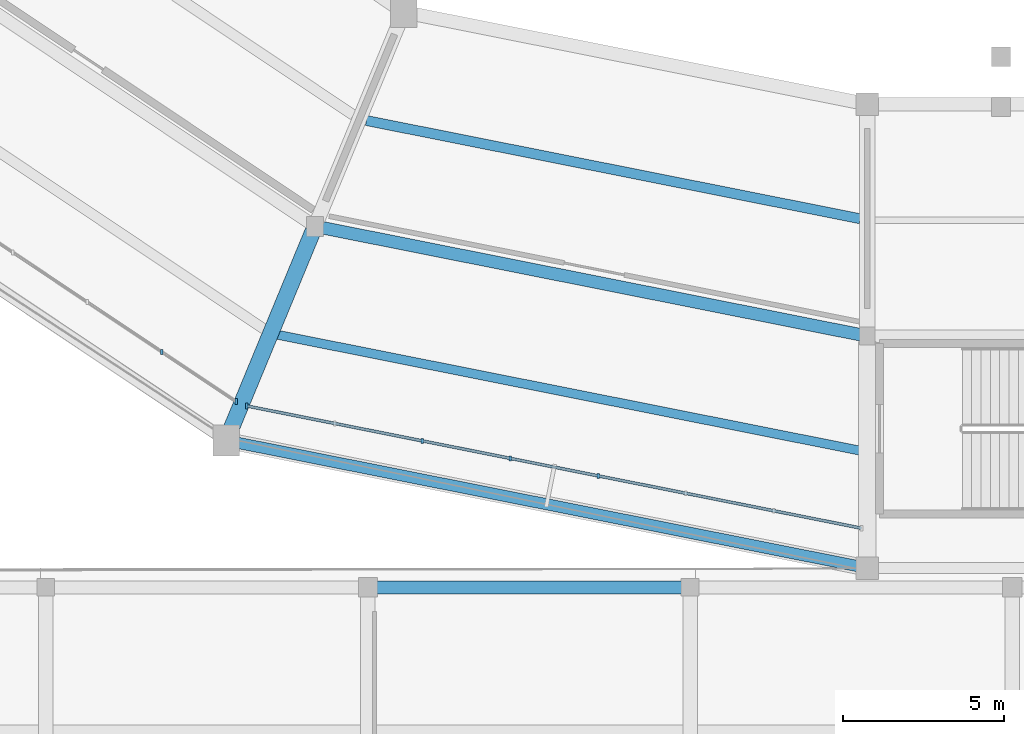
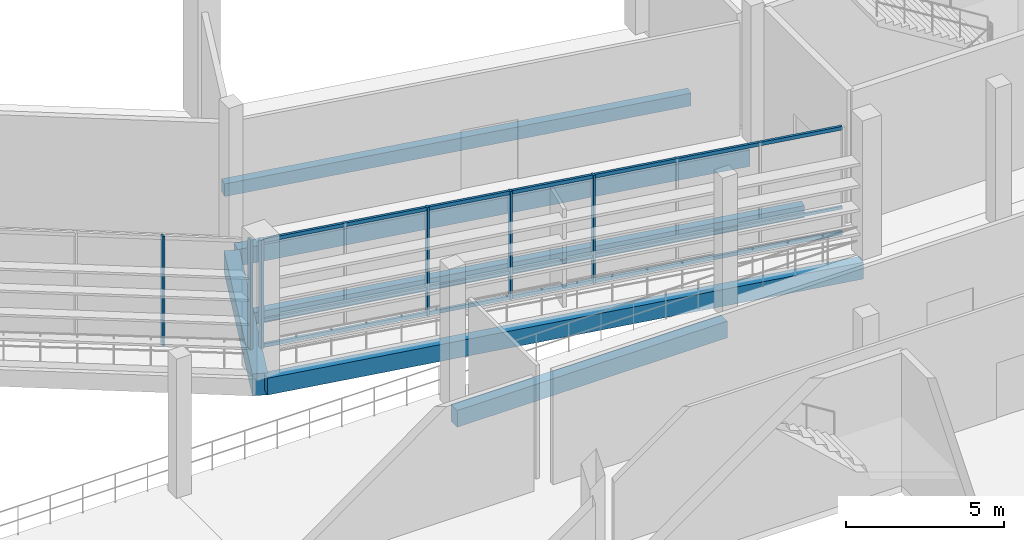
# One storey, part 11 of 111: 9 members, 6 beams, 2 elements without a shape of their own.
"""IFC4 building model written with IfcOpenShell, lengths in metres."""

from ifc_helpers import new_model, si_unit, direction, frame, origin, origin_2d, place, context, subcontext, project, spatial, rectangle, extrude, material, material_profile, profile_set, type_object, element, aggregate, save


model = new_model("IFC4")

# Units and contexts
model_context = context("Model", 3, precision=1e-05, world=origin(), true_north=direction((0.0, 1.0)))
body_context = subcontext(model_context, "Body", "Model", "MODEL_VIEW")
ifc_project = project(units=[si_unit("LENGTHUNIT", "METRE"), si_unit("AREAUNIT", "SQUARE_METRE"), si_unit("VOLUMEUNIT", "CUBIC_METRE"), si_unit("PLANEANGLEUNIT", "RADIAN"), si_unit("MASSUNIT", "GRAM", prefix="KILO")], contexts=[model_context])

# Site, building, storey
site_placement = place(None, origin())
site = spatial("IfcSite", under=ifc_project, at=site_placement, CompositionType="ELEMENT")
building_placement = place(site_placement, origin())
building = spatial("IfcBuilding", under=site, at=building_placement, Name="Candeia Ridge Stadium", CompositionType="ELEMENT")
storey_placement = place(building_placement, frame((0.0, 0.0, 16.199951171875)))
storey = spatial("IfcBuildingStorey", under=building, at=storey_placement, Name="L03", CompositionType="ELEMENT", Elevation=16.199951171875)

# Curtain wall, member
ifc_material_1 = material(Name="Aluminium Anodized Warm Bronze", Category="aluminium")
curtain_wall_type = type_object("IfcCurtainWallType", Name="Concourse Recessed Unitised Curtain Wall", PredefinedType="NOTDEFINED", material=ifc_material_1)
curtain_wall_1_placement = place(storey_placement, origin())
curtain_wall_1 = element("IfcCurtainWall", 1, at=curtain_wall_1_placement, inside=storey, type_object=curtain_wall_type, Name="Unitised curtain wall CW-BWL-L03-16", PredefinedType="NOTDEFINED")
ifc_material_profile_1 = material_profile(ifc_material_1, rectangle(XDim=0.090087890625, YDim=0.179931640625, at=origin_2d()), Name="CWM-90x180", Category="aluminium")
ifc_profile_set_1 = profile_set([ifc_material_profile_1], Name="Aluminium Anodized Warm Bronze")
member_type_1 = type_object("IfcMemberType", Name="Curtain Wall Primary Mullion 90x180", PredefinedType="MULLION", material=ifc_profile_set_1)
member_1_placement = place(storey_placement, frame((51.409912109375, 24.1669921875, 0.0), z_axis=(0.0, 0.0, 1.0), x_axis=(1.0, 0.0, 0.0)))
member_1 = element("IfcMember", 2, at=member_1_placement, type_object=member_type_1, Name="Curtain wall mullion CW-BWL-L03-16-M7", PredefinedType="MULLION", context=body_context, shape_type="SweptSolid", body=[
    extrude(rectangle(XDim=0.090087890625, YDim=0.179931640625, at=origin_2d()), origin(), (0.0, 0.0, 1.0), 4.2451171875),
])

curtain_wall_2_placement = place(storey_placement, origin())
curtain_wall_2 = element("IfcCurtainWall", 3, at=curtain_wall_2_placement, inside=storey, type_object=curtain_wall_type, Name="Unitised curtain wall CW-BWL-L03-17", PredefinedType="NOTDEFINED")
member_2_placement = place(storey_placement, frame((51.736083984375, 24.03173828125, 0.0), z_axis=(0.0, 0.0, 1.0), x_axis=(1.0, 0.0, 0.0)))
member_2 = element("IfcMember", 4, at=member_2_placement, type_object=member_type_1, Name="Curtain wall mullion CW-BWL-L03-17-M0", PredefinedType="MULLION", context=body_context, shape_type="SweptSolid", body=[
    extrude(rectangle(XDim=0.090087890625, YDim=0.179931640625, at=origin_2d()), origin(), (0.0, 0.0, 1.0), 4.205078125),
])

# Member
ifc_material_profile_2 = material_profile(ifc_material_1, rectangle(XDim=0.074951171875, YDim=0.14990234375, at=origin_2d()), Name="CWM-75x150", Category="aluminium")
ifc_profile_set_2 = profile_set([ifc_material_profile_2], Name="Aluminium Anodized Warm Bronze")
member_type_2 = type_object("IfcMemberType", Name="Curtain Wall Secondary Mullion 75x150", PredefinedType="MULLION", material=ifc_profile_set_2)
member_3_placement = place(storey_placement, frame((49.098388671875, 25.71142578125, 0.0), z_axis=(0.0, 0.0, 1.0), x_axis=(1.0, 0.0, 0.0)))
member_3 = element("IfcMember", 5, at=member_3_placement, type_object=member_type_2, Name="Curtain wall mullion CW-BWL-L03-16-M6", PredefinedType="MULLION", context=body_context, shape_type="SweptSolid", body=[
    extrude(rectangle(XDim=0.074951171875, YDim=0.14990234375, at=origin_2d()), origin(), (0.0, 0.0, 1.0), 4.2451171875),
])

aggregate(curtain_wall_1, [member_3, member_1])

member_4_placement = place(storey_placement, frame((57.189697265625, 22.947021484375, 0.0), z_axis=(0.0, 0.0, 1.0), x_axis=(1.0, 0.0, 0.0)))
member_4 = element("IfcMember", 6, at=member_4_placement, type_object=member_type_2, Name="Curtain wall mullion CW-BWL-L03-17-M2", PredefinedType="MULLION", context=body_context, shape_type="SweptSolid", body=[
    extrude(rectangle(XDim=0.074951171875, YDim=0.14990234375, at=origin_2d()), origin(), (0.0, 0.0, 1.0), 4.205078125),
])

member_5_placement = place(storey_placement, frame((59.91650390625, 22.404541015625, 0.0), z_axis=(0.0, 0.0, 1.0), x_axis=(1.0, 0.0, 0.0)))
member_5 = element("IfcMember", 7, at=member_5_placement, type_object=member_type_2, Name="Curtain wall mullion CW-BWL-L03-17-M3", PredefinedType="MULLION", context=body_context, shape_type="SweptSolid", body=[
    extrude(rectangle(XDim=0.074951171875, YDim=0.14990234375, at=origin_2d()), origin(), (0.0, 0.0, 1.0), 4.205078125),
])

member_6_placement = place(storey_placement, frame((62.643310546875, 21.8623046875, 0.0), z_axis=(0.0, 0.0, 1.0), x_axis=(1.0, 0.0, 0.0)))
member_6 = element("IfcMember", 8, at=member_6_placement, type_object=member_type_2, Name="Curtain wall mullion CW-BWL-L03-17-M4", PredefinedType="MULLION", context=body_context, shape_type="SweptSolid", body=[
    extrude(rectangle(XDim=0.074951171875, YDim=0.14990234375, at=origin_2d()), origin(), (0.0, 0.0, 1.0), 4.205078125),
])

ifc_material_profile_3 = material_profile(ifc_material_1, rectangle(XDim=0.074951171875, YDim=0.110107421875, at=origin_2d()), Name="CWT-75x110", Category="aluminium")
ifc_profile_set_3 = profile_set([ifc_material_profile_3], Name="Aluminium Anodized Warm Bronze")
member_type_3 = type_object("IfcMemberType", Name="Curtain Wall Secondary Transom 75x110", PredefinedType="USERDEFINED", material=ifc_profile_set_3)
member_7_placement = place(storey_placement, frame((51.736083984375, 24.03173828125, 1.05126953125), z_axis=(0.980786160623, -0.195085896803, 0.0), x_axis=(0.195085896803, 0.980786160623, 0.0)))
member_7 = element("IfcMember", 9, at=member_7_placement, type_object=member_type_3, Name="Curtain wall transom CW-BWL-L03-17-T1", ObjectType="TRANSOM", PredefinedType="USERDEFINED", context=body_context, shape_type="SweptSolid", body=[
    extrude(rectangle(XDim=0.074951171875, YDim=0.110107421875, at=origin_2d()), origin(), (0.0, 0.0, 1.0), 19.46142578125),
])

ifc_material_profile_4 = material_profile(ifc_material_1, rectangle(XDim=0.090087890625, YDim=0.139892578125, at=origin_2d()), Name="CWT-90x140", Category="aluminium")
ifc_profile_set_4 = profile_set([ifc_material_profile_4], Name="Aluminium Anodized Warm Bronze")
member_type_4 = type_object("IfcMemberType", Name="Curtain Wall Transom 90x140", PredefinedType="USERDEFINED", material=ifc_profile_set_4)
member_8_placement = place(storey_placement, frame((51.736083984375, 24.03173828125, 0.070068359375), z_axis=(0.980786160623, -0.195085896803, 0.0), x_axis=(0.195085896803, 0.980786160623, 0.0)))
member_8 = element("IfcMember", 10, at=member_8_placement, type_object=member_type_4, Name="Curtain wall transom CW-BWL-L03-17-T0", ObjectType="TRANSOM", PredefinedType="USERDEFINED", context=body_context, shape_type="SweptSolid", body=[
    extrude(rectangle(XDim=0.090087890625, YDim=0.139892578125, at=origin_2d()), origin(), (0.0, 0.0, 1.0), 19.46142578125),
])

member_9_placement = place(storey_placement, frame((51.736083984375, 24.03173828125, 4.135009765625), z_axis=(0.980786160623, -0.195085896803, 0.0), x_axis=(0.195085896803, 0.980786160623, 0.0)))
member_9 = element("IfcMember", 11, at=member_9_placement, type_object=member_type_4, Name="Curtain wall transom CW-BWL-L03-17-T2", ObjectType="TRANSOM", PredefinedType="USERDEFINED", context=body_context, shape_type="SweptSolid", body=[
    extrude(rectangle(XDim=0.090087890625, YDim=0.139892578125, at=origin_2d()), origin(), (0.0, 0.0, 1.0), 19.46142578125),
])

aggregate(curtain_wall_2, [member_2, member_4, member_5, member_6, member_8, member_7, member_9])

# Beams
ifc_material_2 = material(Name="Concrete C40/50", Category="concrete")
ifc_material_profile_5 = material_profile(ifc_material_2, rectangle(XDim=0.280029296875, YDim=0.4599609375, at=origin_2d()), Name="RC280x460", Category="concrete")
ifc_profile_set_5 = profile_set([ifc_material_profile_5], Name="Concrete C40/50")
beam_type_1 = type_object("IfcBeamType", Name="Floor Joist RC280x460", PredefinedType="JOIST", material=ifc_profile_set_5)
beam_1_placement = place(storey_placement, frame((52.69580078125, 26.240966796875, -0.47998046875), z_axis=(0.980784839623, -0.195092537954, 0.0), x_axis=(0.195092537954, 0.980784839623, 0.0)))
element("IfcBeam", 12, at=beam_1_placement, inside=storey, type_object=beam_type_1, Name="Concourse secondary joist BM-L03-0637", PredefinedType="JOIST", context=body_context, shape_type="SweptSolid", body=[
    extrude(rectangle(XDim=0.280029296875, YDim=0.4599609375, at=origin_2d()), origin(), (0.0, 0.0, 1.0), 18.440673828125),
])
ifc_material_profile_6 = material_profile(ifc_material_2, rectangle(XDim=0.31005859375, YDim=0.489990234375, at=origin_2d()), Name="RC310x490", Category="concrete")
ifc_profile_set_6 = profile_set([ifc_material_profile_6], Name="Concrete C40/50")
beam_type_2 = type_object("IfcBeamType", Name="Floor Joist RC310x490", PredefinedType="JOIST", material=ifc_profile_set_6)
beam_2_placement = place(storey_placement, frame((55.451171875, 32.892822265625, -0.494873046875), z_axis=(0.980784984607, -0.195091809076, 0.0), x_axis=(0.195091809076, 0.980784984607, 0.0)))
element("IfcBeam", 13, at=beam_2_placement, inside=storey, type_object=beam_type_2, Name="Concourse secondary joist BM-L03-0636", PredefinedType="JOIST", context=body_context, shape_type="SweptSolid", body=[
    extrude(rectangle(XDim=0.31005859375, YDim=0.489990234375, at=origin_2d()), origin(), (0.0, 0.0, 1.0), 15.63134765625),
])
ifc_material_profile_7 = material_profile(ifc_material_2, rectangle(XDim=0.389892578125, YDim=0.639892578125, at=origin_2d()), Name="RC390x640", Category="concrete")
ifc_profile_set_7 = profile_set([ifc_material_profile_7], Name="Concrete C40/50")
beam_type_3 = type_object("IfcBeamType", Name="Frame Girder RC390x640", PredefinedType="BEAM", material=ifc_profile_set_7)
beam_3_placement = place(storey_placement, frame((54.0126953125, 29.5791015625, -0.570068359375), z_axis=(0.980783706548, -0.195098234154, 0.0), x_axis=(0.195098234154, 0.980783706548, 0.0)))
element("IfcBeam", 14, at=beam_3_placement, inside=storey, type_object=beam_type_3, Name="Concourse spine girder BM-L03-0634", PredefinedType="BEAM", context=body_context, shape_type="SweptSolid", body=[
    extrude(rectangle(XDim=0.389892578125, YDim=0.639892578125, at=origin_2d()), origin(), (0.0, 0.0, 1.0), 17.16015625),
])
ifc_material_3 = material(Name="Concrete C45/55", Category="concrete")
ifc_material_profile_8 = material_profile(ifc_material_3, rectangle(XDim=0.5, YDim=0.85009765625, at=origin_2d()), Name="RC500x850", Category="concrete")
ifc_profile_set_8 = profile_set([ifc_material_profile_8], Name="Concrete C45/55")
beam_type_4 = type_object("IfcBeamType", Name="Frame Girder RC500x850", PredefinedType="BEAM", material=ifc_profile_set_8)
beam_4_placement = place(storey_placement, frame((53.79443359375, 29.46240234375, -0.675048828125), z_axis=(-0.382681914982, -0.923880161031, 0.0), x_axis=(0.923880161031, -0.382681914982, 0.0)))
element("IfcBeam", 15, at=beam_4_placement, inside=storey, type_object=beam_type_4, Name="Bowl radial girder BM-L03-0516", PredefinedType="BEAM", context=body_context, shape_type="SweptSolid", body=[
    extrude(rectangle(XDim=0.5, YDim=0.85009765625, at=origin_2d()), origin(), (0.0, 0.0, 1.0), 6.8798828125),
])
ifc_material_profile_9 = material_profile(ifc_material_2, rectangle(XDim=0.35009765625, YDim=0.64990234375, at=origin_2d()), Name="RC350x650", Category="concrete")
ifc_profile_set_9 = profile_set([ifc_material_profile_9], Name="Concrete C40/50")
beam_type_5 = type_object("IfcBeamType", Name="Spandrel Beam RC350x650", PredefinedType="SPANDREL", material=ifc_profile_set_9)
beam_5_placement = place(storey_placement, frame((51.25732421875, 22.927001953125, -0.574951171875), z_axis=(0.980786091775, -0.195086242929, 0.0), x_axis=(0.195086242929, 0.980786091775, 0.0)))
element("IfcBeam", 16, at=beam_5_placement, inside=storey, type_object=beam_type_5, Name="Bowl perimeter spandrel BM-L03-0635", PredefinedType="SPANDREL", context=body_context, shape_type="SweptSolid", body=[
    extrude(rectangle(XDim=0.35009765625, YDim=0.64990234375, at=origin_2d()), origin(), (0.0, 0.0, 1.0), 19.969482421875),
])
ifc_material_profile_10 = material_profile(ifc_material_2, rectangle(XDim=0.39990234375, YDim=0.64990234375, at=origin_2d()), Name="RC400x650", Category="concrete")
ifc_profile_set_10 = profile_set([ifc_material_profile_10], Name="Concrete C40/50")
beam_type_6 = type_object("IfcBeamType", Name="Wing Primary Girder RC400x650", PredefinedType="BEAM", material=ifc_profile_set_10)
beam_6_placement = place(storey_placement, frame((55.550048828125, 18.39990234375, -0.574951171875), z_axis=(1.0, 0.0, 0.0), x_axis=(0.0, 1.0, 0.0)))
element("IfcBeam", 17, at=beam_6_placement, inside=storey, type_object=beam_type_6, Name="Structural girder BM-L03-2308", PredefinedType="BEAM", context=body_context, shape_type="SweptSolid", body=[
    extrude(rectangle(XDim=0.39990234375, YDim=0.64990234375, at=origin_2d()), origin(), (0.0, 0.0, 1.0), 9.89990234375),
])

save(model, "model.ifc")
